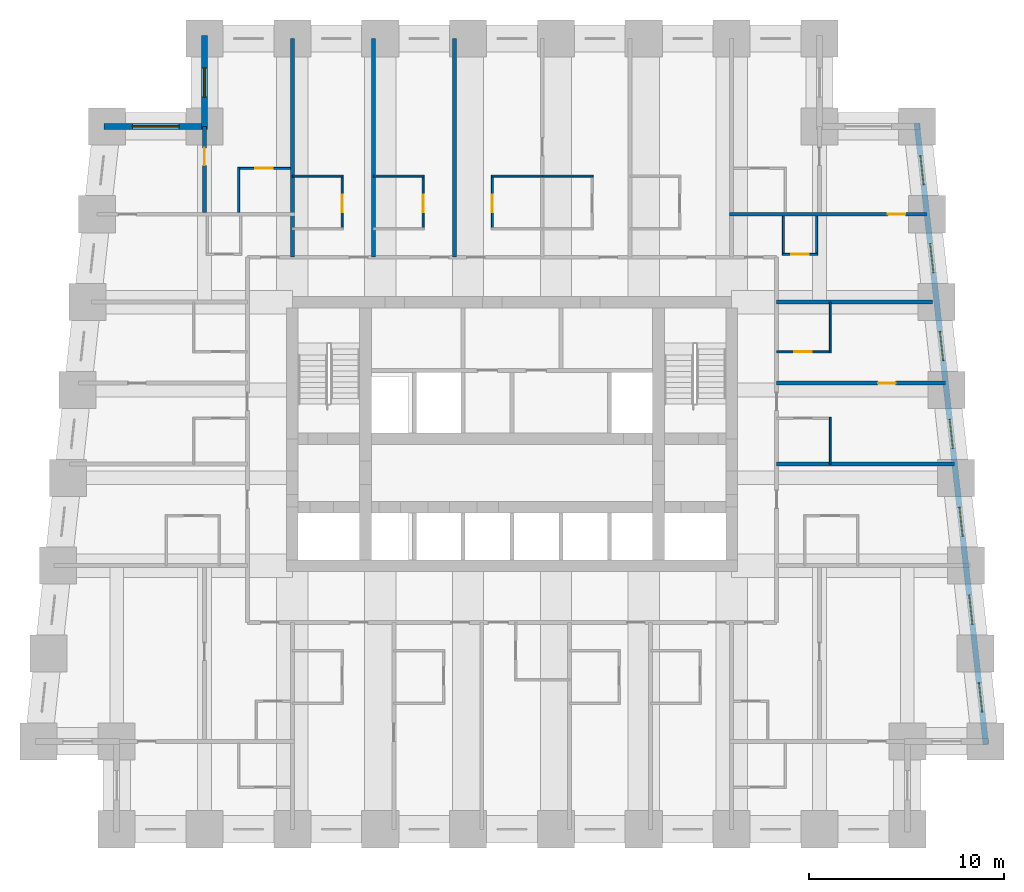
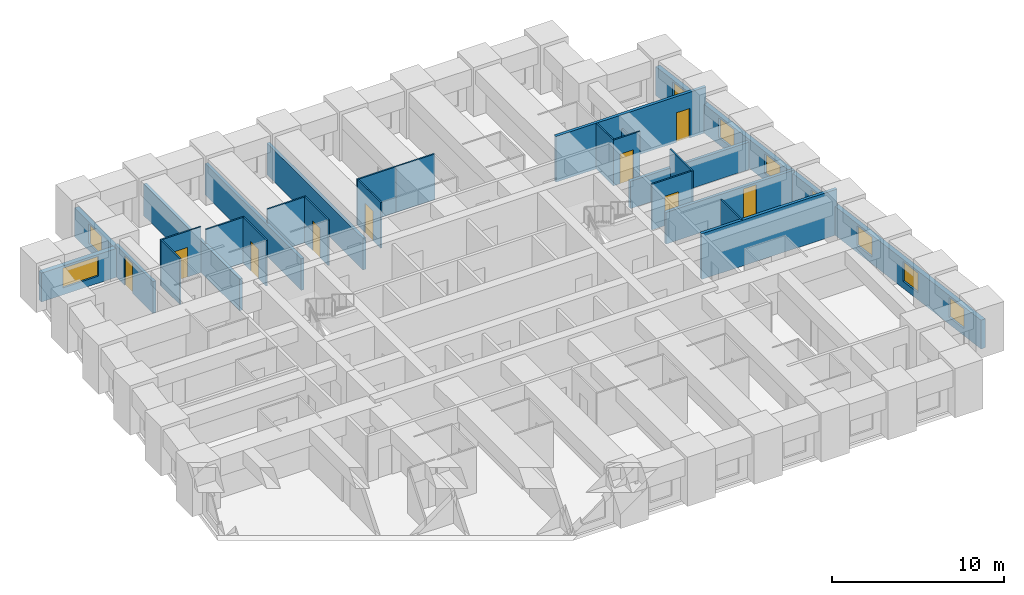
# One storey, part 6 of 8: 26 walls, 9 doors, 9 windows, 18 openings.
"""IFC4 building model written with IfcOpenShell, lengths in metres."""

import ifcopenshell
import ifcopenshell.guid

model = None  # the IFC model being written
_history = None  # IfcOwnerHistory: only IFC2X3 demands one
_inside = {}  # id of a spatial element -> (the spatial element, [elements in it])
_under = {}  # id of a project, library or spatial element -> (it, [spatial elements below it])
_declared = {}  # id of a project -> (the project, [libraries it declares])
_typed = {}  # id of a type object -> (the type object, [elements of that type])
_made_of = {}  # id of a material, layer set ... -> (it, [elements and type objects made of it])


def new_model(schema):
    """Start an empty IFC model of exactly this schema.

    Asked for "IFC4X3", IfcOpenShell would pick the latest addendum, in which some entities
    have other attributes; the version numbers below select the first issue.
    IFC2X3 requires an IfcOwnerHistory on every rooted entity: one is made here for all.
    """
    global model, _history
    if schema == "IFC4X3":
        model = ifcopenshell.file(schema_version=(4, 3, 0, 0))
    else:
        model = ifcopenshell.file(schema=schema)
    _inside.clear()
    _under.clear()
    _declared.clear()
    _typed.clear()
    _made_of.clear()
    _history = None
    if model.schema == "IFC2X3":
        org = make("IfcOrganization", Name="unknown")
        user = make(
            "IfcPersonAndOrganization",
            ThePerson=make("IfcPerson", FamilyName="unknown"),
            TheOrganization=org,
        )
        app = make(
            "IfcApplication",
            ApplicationDeveloper=org,
            Version="unknown",
            ApplicationFullName="unknown",
            ApplicationIdentifier="unknown",
        )
        _history = make(
            "IfcOwnerHistory",
            OwningUser=user,
            OwningApplication=app,
            ChangeAction="ADDED",
            CreationDate=0,
        )
    return model


def make(cls, **values):
    """One entity of the class cls with the attributes given. An attribute that is None is left unset."""
    return model.create_entity(
        cls, **{name: value for name, value in values.items() if value is not None}
    )


def rooted(cls, **values):
    """An entity with a GlobalId (a new one), such as an element, a storey or a relation."""
    return make(cls, GlobalId=ifcopenshell.guid.new(), OwnerHistory=_history, **values)


def si_unit(unit_type, name, prefix=None):
    """IfcSIUnit, for example si_unit("LENGTHUNIT", "METRE", prefix="MILLI")."""
    return make("IfcSIUnit", UnitType=unit_type, Prefix=prefix, Name=name)


def assignment(units):
    """IfcUnitAssignment: the units of a project."""
    return None if units is None else make("IfcUnitAssignment", Units=units)


def point(xyz):
    """IfcCartesianPoint."""
    return None if xyz is None else make("IfcCartesianPoint", Coordinates=xyz)


def direction(xyz):
    """IfcDirection."""
    return None if xyz is None else make("IfcDirection", DirectionRatios=xyz)


def frame(location, z_axis=None, x_axis=None):
    """IfcAxis2Placement3D, a coordinate frame: its origin and axes. An axis left out is left unset."""
    return make(
        "IfcAxis2Placement3D",
        Location=point(location),
        Axis=direction(z_axis),
        RefDirection=direction(x_axis),
    )


def frame_2d(location, x_axis=None):
    """IfcAxis2Placement2D, a coordinate frame in the plane: its origin and x axis."""
    return make(
        "IfcAxis2Placement2D", Location=point(location), RefDirection=direction(x_axis)
    )


def origin():
    """The frame at (0, 0, 0) with its axes left unset."""
    return frame((0.0, 0.0, 0.0))


def place(relative_to, where):
    """IfcLocalPlacement: puts the frame where relative to a parent placement (None: the world)."""
    return make(
        "IfcLocalPlacement", PlacementRelTo=relative_to, RelativePlacement=where
    )


def context(
    kind, dimensions, precision=None, world=None, true_north=None, identifier=None
):
    """IfcGeometricRepresentationContext, for example the 3D "Model" context."""
    return make(
        "IfcGeometricRepresentationContext",
        ContextIdentifier=identifier,
        ContextType=kind,
        CoordinateSpaceDimension=dimensions,
        Precision=precision,
        WorldCoordinateSystem=world,
        TrueNorth=true_north,
    )


def subcontext(parent, identifier, kind, view, scale=None):
    """IfcGeometricRepresentationSubContext, for example "Body" below "Model"."""
    return make(
        "IfcGeometricRepresentationSubContext",
        ContextIdentifier=identifier,
        ContextType=kind,
        ParentContext=parent,
        TargetScale=scale,
        TargetView=view,
    )


def project(units=None, contexts=None):
    """IfcProject with its units and contexts."""
    return rooted(
        "IfcProject",
        Name="project",
        RepresentationContexts=contexts,
        UnitsInContext=assignment(units),
    )


def spatial(cls, under=None, at=None, **own):
    """A site, building, storey or space (cls), placed at a placement, below another one or the project."""
    s = rooted(cls, ObjectPlacement=at, **own)
    if under is not None:
        _under.setdefault(under.id(), (under, []))[1].append(s)
    return s


def profile(cls, at=None, kind="AREA", **sizes):
    """A parametric profile (cls). Its sizes go by their IFC names, for example OverallWidth=200.0."""
    return make(cls, ProfileType=kind, Position=at, **sizes)


def rectangle(**sizes):
    """IfcRectangleProfileDef."""
    return profile("IfcRectangleProfileDef", **sizes)


def extrude(swept, where, along, depth):
    """IfcExtrudedAreaSolid: the profile swept, set in the frame where, extruded along a direction by depth."""
    return make(
        "IfcExtrudedAreaSolid",
        SweptArea=swept,
        Position=where,
        ExtrudedDirection=direction(along),
        Depth=depth,
    )


def shape(context_of_items, identifier, shape_type, items):
    """IfcShapeRepresentation: the items that make up one representation, for example the "Body"."""
    return make(
        "IfcShapeRepresentation",
        ContextOfItems=context_of_items,
        RepresentationIdentifier=identifier,
        RepresentationType=shape_type,
        Items=items,
    )


def material(Name=None, Category=None):
    """IfcMaterial."""
    return make("IfcMaterial", Name=Name, Category=Category)


def layer(
    of_material, thickness, ventilated=None, Name=None, Category=None, Priority=None
):
    """IfcMaterialLayer: one layer of a wall or slab, of a material (None: an air gap)."""
    return make(
        "IfcMaterialLayer",
        Material=of_material,
        LayerThickness=thickness,
        IsVentilated=ventilated,
        Name=Name,
        Category=Category,
        Priority=Priority,
    )


def layer_set(layers, Name=None):
    """IfcMaterialLayerSet."""
    return make("IfcMaterialLayerSet", MaterialLayers=layers, LayerSetName=Name)


def made_of(thing, what):
    """Note that an element or type object is made of a material, layer set ...; save() writes the relation."""
    if what is not None:
        _made_of.setdefault(what.id(), (what, []))[1].append(thing)
    return thing


def type_object(cls, material=None, **own):
    """A type object (cls), such as IfcWallType, which elements share."""
    return made_of(rooted(cls, **own), material)


def element(
    cls,
    number,
    at=None,
    inside=None,
    cuts=None,
    type_object=None,
    material=None,
    context=None,
    identifier="Body",
    shape_type=None,
    held_by="IfcProductDefinitionShape",
    body=None,
    shapes=None,
    **own,
):
    """One element of the class cls, such as IfcWall. Its Tag is "e" and its number.

    at: its placement. inside: the storey or other place that contains it. cuts: it is an
    opening in that element (IfcRelVoidsElement). A single representation is given by context,
    identifier, shape_type and body (its items); several are given by shapes. held_by: the class
    of the entity that holds the representations. save() writes the other relations.
    """
    e = rooted(cls, Tag="e%d" % number, ObjectPlacement=at, **own)
    if body is not None:
        shapes = [shape(context, identifier, shape_type, body)]
    if shapes is not None:
        e.Representation = make(held_by, Representations=shapes)
    if inside is not None:
        _inside.setdefault(inside.id(), (inside, []))[1].append(e)
    if cuts is not None:
        rooted(
            "IfcRelVoidsElement", RelatingBuildingElement=cuts, RelatedOpeningElement=e
        )
    if type_object is not None:
        _typed.setdefault(type_object.id(), (type_object, []))[1].append(e)
    return made_of(e, material)


def fill(opening, filler):
    """IfcRelFillsElement: the door or window that sits in an opening."""
    return rooted(
        "IfcRelFillsElement",
        RelatingOpeningElement=opening,
        RelatedBuildingElement=filler,
    )


def aggregate(whole, parts):
    """IfcRelAggregates: a whole, such as a stair, and the parts it consists of."""
    return rooted("IfcRelAggregates", RelatingObject=whole, RelatedObjects=parts)


def save(model, path):
    """Write the relations noted so far, then the file.

    IfcRelAggregates (storeys below a building ...), IfcRelContainedInSpatialStructure (elements
    in a storey), IfcRelDefinesByType, IfcRelAssociatesMaterial and IfcRelDeclares: one each for
    every whole, place, type object, material and project.
    """
    for whole, parts in _under.values():
        aggregate(whole, parts)
    for where, things in _inside.values():
        rooted(
            "IfcRelContainedInSpatialStructure",
            RelatedElements=things,
            RelatingStructure=where,
        )
    for kind, things in _typed.values():
        rooted("IfcRelDefinesByType", RelatedObjects=things, RelatingType=kind)
    for what, things in _made_of.values():
        rooted("IfcRelAssociatesMaterial", RelatedObjects=things, RelatingMaterial=what)
    for by, libraries in _declared.values():
        rooted("IfcRelDeclares", RelatingContext=by, RelatedDefinitions=libraries)
    model.write(path)


model = new_model("IFC4")

# Units and contexts
model_context = context("Model", 3, precision=1e-05, world=origin(), true_north=direction((0.0, 1.0)))
body_context = subcontext(model_context, "Body", "Model", "MODEL_VIEW")
ifc_project = project(units=[si_unit("LENGTHUNIT", "METRE"), si_unit("AREAUNIT", "SQUARE_METRE"), si_unit("VOLUMEUNIT", "CUBIC_METRE"), si_unit("PLANEANGLEUNIT", "RADIAN"), si_unit("MASSUNIT", "GRAM", prefix="KILO")], contexts=[model_context])

# Site, building, storey
site_placement = place(None, origin())
site = spatial("IfcSite", under=ifc_project, at=site_placement, CompositionType="ELEMENT")
building_placement = place(site_placement, origin())
building = spatial("IfcBuilding", under=site, at=building_placement, Name="Kilele Tower Hotel", CompositionType="ELEMENT")
storey_placement = place(building_placement, frame((0.0, 0.0, 47.199951171875)))
storey = spatial("IfcBuildingStorey", under=building, at=storey_placement, Name="L10", CompositionType="ELEMENT", Elevation=47.199951171875)

# Walls
ifc_material_1 = material(Name="Moisture-resistant board")
ifc_layer_1 = layer(ifc_material_1, 0.10009765625)
ifc_layer_set_1 = layer_set([ifc_layer_1], Name="Moisture-resistant board")
wall_type_1 = type_object("IfcWallType", Name="Bathroom partition 100", PredefinedType="PLUMBINGWALL", material=ifc_layer_set_1)
wall_1_placement = place(storey_placement, frame((41.050048828125, 18.699951171875, 0.0), z_axis=(0.0, 0.0, 1.0), x_axis=(0.0, 1.0, 0.0)))
element("IfcWall", 1, at=wall_1_placement, inside=storey, type_object=wall_type_1, Name="Bathroom partition 100 L10", PredefinedType="PLUMBINGWALL", context=body_context, shape_type="SweptSolid", body=[
    extrude(rectangle(XDim=2.400146484375, YDim=0.10009765625, at=frame_2d((1.2001953125, 0.0))), origin(), (0.0, 0.0, 1.0), 3.25),
])
wall_2_placement = place(storey_placement, frame((41.050048828125, 24.39990234375, 0.0), z_axis=(0.0, 0.0, 1.0), x_axis=(0.0, 1.0, 0.0)))
element("IfcWall", 2, at=wall_2_placement, inside=storey, type_object=wall_type_1, Name="Bathroom partition 100 L10", PredefinedType="PLUMBINGWALL", context=body_context, shape_type="SweptSolid", body=[
    extrude(rectangle(XDim=2.60009765625, YDim=0.10009765625, at=frame_2d((1.300048828125, 0.0))), origin(), (0.0, 0.0, 1.0), 3.25),
])

# Wall, opening, door
wall_3_placement = place(storey_placement, frame((38.300048828125, 24.449951171875, 0.0), z_axis=(0.0, 0.0, 1.0), x_axis=(1.0, 0.0, 0.0)))
wall_3 = element("IfcWall", 3, at=wall_3_placement, inside=storey, type_object=wall_type_1, Name="Bathroom partition 100 L10", PredefinedType="PLUMBINGWALL", context=body_context, shape_type="SweptSolid", body=[
    extrude(rectangle(XDim=2.800048828125, YDim=0.10009765625, at=frame_2d((1.39990234375, 0.0))), origin(), (0.0, 0.0, 1.0), 3.25),
])
opening_1_placement = place(wall_3_placement, frame((1.7998046875, 0.0, 0.0), z_axis=(0.0, 0.0, 1.0), x_axis=(-1.0, 0.0, 0.0)))
opening_1 = element("IfcOpeningElement", 4, at=opening_1_placement, cuts=wall_3, Name="Opening D2A", PredefinedType="OPENING", context=body_context, shape_type="SweptSolid", body=[
    extrude(rectangle(XDim=0.89990234375, YDim=2.10009765625, at=frame_2d((0.449951171875, 1.050048828125))), frame((0.0, 0.06005859375, 0.0), z_axis=(0.0, -1.0, 0.0), x_axis=(1.0, 0.0, 0.0)), (0.0, 0.0, 1.0), 0.1201171875),
])
ifc_material_2 = material(Name="Timber door leaf in hardwood frame", Category="wood")
door_type_1 = type_object("IfcDoorType", Name="Bathroom door 900", OperationType="SINGLE_SWING_LEFT", PredefinedType="DOOR", material=ifc_material_2)
door_1_placement = place(opening_1_placement, origin())
door_1 = element("IfcDoor", 5, at=door_1_placement, inside=storey, type_object=door_type_1, Name="Bathroom door 1008B", OperationType="SINGLE_SWING_RIGHT", OverallHeight=2.10009765625, OverallWidth=0.89990234375, PredefinedType="DOOR", context=body_context, shape_type="SweptSolid", body=[
    extrude(rectangle(XDim=0.89990234375, YDim=2.10009765625, at=frame_2d((0.449951171875, 1.050048828125))), frame((0.0, 0.02490234375, 0.0), z_axis=(0.0, -1.0, 0.0), x_axis=(1.0, 0.0, 0.0)), (0.0, 0.0, 1.0), 0.050048828125),
])
fill(opening_1, door_1)

# Wall
wall_4_placement = place(storey_placement, frame((13.5, 33.449951171875, 0.0), z_axis=(0.0, 0.0, 1.0), x_axis=(1.0, 0.0, 0.0)))
element("IfcWall", 6, at=wall_4_placement, inside=storey, type_object=wall_type_1, Name="Bathroom partition 100 L10", PredefinedType="PLUMBINGWALL", context=body_context, shape_type="SweptSolid", body=[
    extrude(rectangle(XDim=2.60009765625, YDim=0.10009765625, at=frame_2d((1.300048828125, 0.0))), origin(), (0.0, 0.0, 1.0), 3.25),
])

# Wall, opening, door
wall_5_placement = place(storey_placement, frame((16.050048828125, 30.699951171875, 0.0), z_axis=(0.0, 0.0, 1.0), x_axis=(0.0, 1.0, 0.0)))
wall_5 = element("IfcWall", 7, at=wall_5_placement, inside=storey, type_object=wall_type_1, Name="Bathroom partition 100 L10", PredefinedType="PLUMBINGWALL", context=body_context, shape_type="SweptSolid", body=[
    extrude(rectangle(XDim=2.800048828125, YDim=0.10009765625, at=frame_2d((1.39990234375, 0.0))), origin(), (0.0, 0.0, 1.0), 3.25),
])
opening_2_placement = place(wall_5_placement, frame((1.7998046875, 0.0, 0.0), z_axis=(0.0, 0.0, 1.0), x_axis=(-1.0, 0.0, 0.0)))
opening_2 = element("IfcOpeningElement", 8, at=opening_2_placement, cuts=wall_5, Name="Opening D2A", PredefinedType="OPENING", context=body_context, shape_type="SweptSolid", body=[
    extrude(rectangle(XDim=0.89990234375, YDim=2.10009765625, at=frame_2d((0.449951171875, 1.050048828125))), frame((0.0, 0.06005859375, 0.0), z_axis=(0.0, -1.0, 0.0), x_axis=(1.0, 0.0, 0.0)), (0.0, 0.0, 1.0), 0.1201171875),
])
door_2_placement = place(opening_2_placement, origin())
door_2 = element("IfcDoor", 9, at=door_2_placement, inside=storey, type_object=door_type_1, Name="Bathroom door 1009B", OperationType="SINGLE_SWING_RIGHT", OverallHeight=2.10009765625, OverallWidth=0.89990234375, PredefinedType="DOOR", context=body_context, shape_type="SweptSolid", body=[
    extrude(rectangle(XDim=0.89990234375, YDim=2.10009765625, at=frame_2d((0.449951171875, 1.050048828125))), frame((0.0, 0.02490234375, 0.0), z_axis=(0.0, -1.0, 0.0), x_axis=(1.0, 0.0, 0.0)), (0.0, 0.0, 1.0), 0.050048828125),
])
fill(opening_2, door_2)

# Wall
wall_6_placement = place(storey_placement, frame((17.64990234375, 33.449951171875, 0.0), z_axis=(0.0, 0.0, 1.0), x_axis=(1.0, 0.0, 0.0)))
element("IfcWall", 10, at=wall_6_placement, inside=storey, type_object=wall_type_1, Name="Bathroom partition 100 L10", PredefinedType="PLUMBINGWALL", context=body_context, shape_type="SweptSolid", body=[
    extrude(rectangle(XDim=2.60009765625, YDim=0.10009765625, at=frame_2d((1.300048828125, 0.0))), origin(), (0.0, 0.0, 1.0), 3.25),
])

# Wall, opening, door
wall_7_placement = place(storey_placement, frame((20.199951171875, 30.699951171875, 0.0), z_axis=(0.0, 0.0, 1.0), x_axis=(0.0, 1.0, 0.0)))
wall_7 = element("IfcWall", 11, at=wall_7_placement, inside=storey, type_object=wall_type_1, Name="Bathroom partition 100 L10", PredefinedType="PLUMBINGWALL", context=body_context, shape_type="SweptSolid", body=[
    extrude(rectangle(XDim=2.800048828125, YDim=0.10009765625, at=frame_2d((1.39990234375, 0.0))), origin(), (0.0, 0.0, 1.0), 3.25),
])
opening_3_placement = place(wall_7_placement, frame((1.7998046875, 0.0, 0.0), z_axis=(0.0, 0.0, 1.0), x_axis=(-1.0, 0.0, 0.0)))
opening_3 = element("IfcOpeningElement", 12, at=opening_3_placement, cuts=wall_7, Name="Opening D2A", PredefinedType="OPENING", context=body_context, shape_type="SweptSolid", body=[
    extrude(rectangle(XDim=0.89990234375, YDim=2.10009765625, at=frame_2d((0.449951171875, 1.050048828125))), frame((0.0, 0.06005859375, 0.0), z_axis=(0.0, -1.0, 0.0), x_axis=(1.0, 0.0, 0.0)), (0.0, 0.0, 1.0), 0.1201171875),
])
door_3_placement = place(opening_3_placement, origin())
door_3 = element("IfcDoor", 13, at=door_3_placement, inside=storey, type_object=door_type_1, Name="Bathroom door 1010B", OperationType="SINGLE_SWING_RIGHT", OverallHeight=2.10009765625, OverallWidth=0.89990234375, PredefinedType="DOOR", context=body_context, shape_type="SweptSolid", body=[
    extrude(rectangle(XDim=0.89990234375, YDim=2.10009765625, at=frame_2d((0.449951171875, 1.050048828125))), frame((0.0, 0.02490234375, 0.0), z_axis=(0.0, -1.0, 0.0), x_axis=(1.0, 0.0, 0.0)), (0.0, 0.0, 1.0), 0.050048828125),
])
fill(opening_3, door_3)

# Wall
wall_8_placement = place(storey_placement, frame((23.699951171875, 33.449951171875, 0.0), z_axis=(0.0, 0.0, 1.0), x_axis=(1.0, 0.0, 0.0)))
element("IfcWall", 14, at=wall_8_placement, inside=storey, type_object=wall_type_1, Name="Bathroom partition 100 L10", PredefinedType="PLUMBINGWALL", context=body_context, shape_type="SweptSolid", body=[
    extrude(rectangle(XDim=2.60009765625, YDim=0.10009765625, at=frame_2d((1.300048828125, 0.0))), origin(), (0.0, 0.0, 1.0), 3.25),
])

# Wall, opening, door
wall_9_placement = place(storey_placement, frame((23.75, 30.699951171875, 0.0), z_axis=(0.0, 0.0, 1.0), x_axis=(0.0, 1.0, 0.0)))
wall_9 = element("IfcWall", 15, at=wall_9_placement, inside=storey, type_object=wall_type_1, Name="Bathroom partition 100 L10", PredefinedType="PLUMBINGWALL", context=body_context, shape_type="SweptSolid", body=[
    extrude(rectangle(XDim=2.800048828125, YDim=0.10009765625, at=frame_2d((1.39990234375, 0.0))), origin(), (0.0, 0.0, 1.0), 3.25),
])
opening_4_placement = place(wall_9_placement, frame((0.89990234375, 0.0, 0.0)))
opening_4 = element("IfcOpeningElement", 16, at=opening_4_placement, cuts=wall_9, Name="Opening D2A", PredefinedType="OPENING", context=body_context, shape_type="SweptSolid", body=[
    extrude(rectangle(XDim=0.89990234375, YDim=2.10009765625, at=frame_2d((0.449951171875, 1.050048828125))), frame((0.0, 0.06005859375, 0.0), z_axis=(0.0, -1.0, 0.0), x_axis=(1.0, 0.0, 0.0)), (0.0, 0.0, 1.0), 0.1201171875),
])
door_4_placement = place(opening_4_placement, origin())
door_4 = element("IfcDoor", 17, at=door_4_placement, inside=storey, type_object=door_type_1, Name="Bathroom door 1011B", OperationType="SINGLE_SWING_LEFT", OverallHeight=2.10009765625, OverallWidth=0.89990234375, PredefinedType="DOOR", context=body_context, shape_type="SweptSolid", body=[
    extrude(rectangle(XDim=0.89990234375, YDim=2.10009765625, at=frame_2d((0.449951171875, 1.050048828125))), frame((0.0, 0.02490234375, 0.0), z_axis=(0.0, -1.0, 0.0), x_axis=(1.0, 0.0, 0.0)), (0.0, 0.0, 1.0), 0.050048828125),
])
fill(opening_4, door_4)

# Walls
wall_10_placement = place(storey_placement, frame((26.300048828125, 33.449951171875, 0.0), z_axis=(0.0, 0.0, 1.0), x_axis=(1.0, 0.0, 0.0)))
element("IfcWall", 18, at=wall_10_placement, inside=storey, type_object=wall_type_1, Name="Bathroom partition 100 L10", PredefinedType="PLUMBINGWALL", context=body_context, shape_type="SweptSolid", body=[
    extrude(rectangle(XDim=2.599853515625, YDim=0.10009765625, at=frame_2d((1.2998046875, 0.0))), origin(), (0.0, 0.0, 1.0), 3.25),
])
wall_11_placement = place(storey_placement, frame((40.35009765625, 31.39990234375, 0.0), z_axis=(0.0, 0.0, 1.0), x_axis=(0.0, -1.0, 0.0)))
element("IfcWall", 19, at=wall_11_placement, inside=storey, type_object=wall_type_1, Name="Bathroom partition 100 L10", PredefinedType="PLUMBINGWALL", context=body_context, shape_type="SweptSolid", body=[
    extrude(rectangle(XDim=2.0, YDim=0.10009765625, at=frame_2d((1.0, 0.0))), origin(), (0.0, 0.0, 1.0), 2.25),
])
wall_12_placement = place(storey_placement, frame((38.64990234375, 31.39990234375, 0.0), z_axis=(0.0, 0.0, 1.0), x_axis=(0.0, -1.0, 0.0)))
element("IfcWall", 20, at=wall_12_placement, inside=storey, type_object=wall_type_1, Name="Bathroom partition 100 L10", PredefinedType="PLUMBINGWALL", context=body_context, shape_type="SweptSolid", body=[
    extrude(rectangle(XDim=2.0, YDim=0.10009765625, at=frame_2d((1.0, 0.0))), origin(), (0.0, 0.0, 1.0), 3.25),
])

# Wall, opening, door
wall_13_placement = place(storey_placement, frame((38.60009765625, 29.449951171875, 0.0), z_axis=(0.0, 0.0, 1.0), x_axis=(1.0, 0.0, 0.0)))
wall_13 = element("IfcWall", 21, at=wall_13_placement, inside=storey, type_object=wall_type_1, Name="Bathroom partition 100 L10", PredefinedType="PLUMBINGWALL", context=body_context, shape_type="SweptSolid", body=[
    extrude(rectangle(XDim=1.7998046875, YDim=0.10009765625, at=frame_2d((0.89990234375, 0.0))), origin(), (0.0, 0.0, 1.0), 3.25),
])
opening_5_placement = place(wall_13_placement, frame((1.349853515625, 0.0, 0.0), z_axis=(0.0, 0.0, 1.0), x_axis=(-1.0, 0.0, 0.0)))
opening_5 = element("IfcOpeningElement", 22, at=opening_5_placement, cuts=wall_13, Name="Opening D2A", PredefinedType="OPENING", context=body_context, shape_type="SweptSolid", body=[
    extrude(rectangle(XDim=0.89990234375, YDim=2.10009765625, at=frame_2d((0.449951171875, 1.050048828125))), frame((0.0, 0.06005859375, 0.0), z_axis=(0.0, -1.0, 0.0), x_axis=(1.0, 0.0, 0.0)), (0.0, 0.0, 1.0), 0.1201171875),
])
door_5_placement = place(opening_5_placement, origin())
door_5 = element("IfcDoor", 23, at=door_5_placement, inside=storey, type_object=door_type_1, Name="Bathroom door 1023P", OperationType="SINGLE_SWING_RIGHT", OverallHeight=2.10009765625, OverallWidth=0.89990234375, PredefinedType="DOOR", context=body_context, shape_type="SweptSolid", body=[
    extrude(rectangle(XDim=0.89990234375, YDim=2.10009765625, at=frame_2d((0.449951171875, 1.050048828125))), frame((0.0, 0.02490234375, 0.0), z_axis=(0.0, -1.0, 0.0), x_axis=(1.0, 0.0, 0.0)), (0.0, 0.0, 1.0), 0.050048828125),
])
fill(opening_5, door_5)

# Wall
wall_14_placement = place(storey_placement, frame((10.75, 31.60009765625, 0.0), z_axis=(0.0, 0.0, 1.0), x_axis=(0.0, 1.0, 0.0)))
element("IfcWall", 24, at=wall_14_placement, inside=storey, type_object=wall_type_1, Name="Bathroom partition 100 L10", PredefinedType="PLUMBINGWALL", context=body_context, shape_type="SweptSolid", body=[
    extrude(rectangle(XDim=2.2998046875, YDim=0.10009765625, at=frame_2d((1.14990234375, 0.0))), origin(), (0.0, 0.0, 1.0), 3.25),
])

# Wall, opening, door
wall_15_placement = place(storey_placement, frame((13.39990234375, 33.85009765625, 0.0), z_axis=(0.0, 0.0, 1.0), x_axis=(-1.0, 0.0, 0.0)))
wall_15 = element("IfcWall", 25, at=wall_15_placement, inside=storey, type_object=wall_type_1, Name="Bathroom partition 100 L10", PredefinedType="PLUMBINGWALL", context=body_context, shape_type="SweptSolid", body=[
    extrude(rectangle(XDim=2.699951171875, YDim=0.10009765625, at=frame_2d((1.35009765625, 0.0))), origin(), (0.0, 0.0, 1.0), 3.25),
])
opening_6_placement = place(wall_15_placement, frame((1.7998046875, 0.0, 0.0), z_axis=(0.0, 0.0, 1.0), x_axis=(-1.0, 0.0, 0.0)))
opening_6 = element("IfcOpeningElement", 26, at=opening_6_placement, cuts=wall_15, Name="Opening D2A", PredefinedType="OPENING", context=body_context, shape_type="SweptSolid", body=[
    extrude(rectangle(XDim=0.89990234375, YDim=2.10009765625, at=frame_2d((0.449951171875, 1.050048828125))), frame((0.0, 0.06005859375, 0.0), z_axis=(0.0, -1.0, 0.0), x_axis=(1.0, 0.0, 0.0)), (0.0, 0.0, 1.0), 0.1201171875),
])
door_6_placement = place(opening_6_placement, origin())
door_6 = element("IfcDoor", 27, at=door_6_placement, inside=storey, type_object=door_type_1, Name="Bathroom door 1027B", OperationType="SINGLE_SWING_RIGHT", OverallHeight=2.10009765625, OverallWidth=0.89990234375, PredefinedType="DOOR", context=body_context, shape_type="SweptSolid", body=[
    extrude(rectangle(XDim=0.89990234375, YDim=2.10009765625, at=frame_2d((0.449951171875, 1.050048828125))), frame((0.0, 0.02490234375, 0.0), z_axis=(0.0, -1.0, 0.0), x_axis=(1.0, 0.0, 0.0)), (0.0, 0.0, 1.0), 0.050048828125),
])
fill(opening_6, door_6)

ifc_material_3 = material(Name="Blockwork, plastered both sides", Category="masonry")
ifc_layer_2 = layer(ifc_material_3, 0.199951171875)
ifc_layer_set_2 = layer_set([ifc_layer_2], Name="Blockwork, plastered both sides")
wall_type_2 = type_object("IfcWallType", Name="Partition wall 200", PredefinedType="PARTITIONING", material=ifc_layer_set_2)
wall_16_placement = place(storey_placement, frame((9.0, 31.60009765625, 0.0), z_axis=(0.0, 0.0, 1.0), x_axis=(0.0, 1.0, 0.0)))
wall_16 = element("IfcWall", 28, at=wall_16_placement, inside=storey, type_object=wall_type_2, Name="Partition wall 200 L10", PredefinedType="PARTITIONING", context=body_context, shape_type="SweptSolid", body=[
    extrude(rectangle(XDim=4.39990234375, YDim=0.199951171875, at=frame_2d((2.199951171875, 0.0))), origin(), (0.0, 0.0, 1.0), 2.25),
])
opening_7_placement = place(wall_16_placement, frame((2.39990234375, 0.0, 0.0)))
opening_7 = element("IfcOpeningElement", 29, at=opening_7_placement, cuts=wall_16, Name="Opening D3", PredefinedType="OPENING", context=body_context, shape_type="SweptSolid", body=[
    extrude(rectangle(XDim=0.89990234375, YDim=2.10009765625, at=frame_2d((0.449951171875, 1.050048828125))), frame((0.0, 0.10986328125, 0.0), z_axis=(0.0, -1.0, 0.0), x_axis=(1.0, 0.0, 0.0)), (0.0, 0.0, 1.0), 0.219970703125),
])
ifc_material_4 = material(Name="Timber door leaf in hardwood frame", Category="wood")
door_type_2 = type_object("IfcDoorType", Name="Suite internal door 900", OperationType="SINGLE_SWING_LEFT", PredefinedType="DOOR", material=ifc_material_4)
door_7_placement = place(opening_7_placement, origin())
door_7 = element("IfcDoor", 30, at=door_7_placement, inside=storey, type_object=door_type_2, Name="Suite door 1028", OperationType="SINGLE_SWING_RIGHT", OverallHeight=2.10009765625, OverallWidth=0.89990234375, PredefinedType="DOOR", context=body_context, shape_type="SweptSolid", body=[
    extrude(rectangle(XDim=0.89990234375, YDim=2.10009765625, at=frame_2d((0.449951171875, 1.050048828125))), frame((0.0, 0.02490234375, 0.0), z_axis=(0.0, -1.0, 0.0), x_axis=(1.0, 0.0, 0.0)), (0.0, 0.0, 1.0), 0.050048828125),
])
fill(opening_7, door_7)

# Wall
ifc_material_5 = material(Name="Blockwork, plastered both sides", Category="masonry")
ifc_layer_3 = layer(ifc_material_5, 0.199951171875)
ifc_layer_set_3 = layer_set([ifc_layer_3], Name="Blockwork, plastered both sides")
wall_type_3 = type_object("IfcWallType", Name="Party wall 200", PredefinedType="PARTITIONING", material=ifc_layer_set_3)
wall_17_placement = place(storey_placement, frame((38.300048828125, 18.699951171875, 0.0), z_axis=(0.0, 0.0, 1.0), x_axis=(1.0, 0.0, 0.0)))
element("IfcWall", 31, at=wall_17_placement, inside=storey, type_object=wall_type_3, Name="Party wall 200 L10", PredefinedType="PARTITIONING", context=body_context, shape_type="SweptSolid", body=[
    extrude(rectangle(XDim=9.121337890625, YDim=0.199951171875, at=frame_2d((4.560546875, 0.0))), origin(), (0.0, 0.0, 1.0), 3.25),
])

# Wall, opening, door
wall_18_placement = place(storey_placement, frame((38.300048828125, 22.85009765625, 0.0), z_axis=(0.0, 0.0, 1.0), x_axis=(1.0, 0.0, 0.0)))
wall_18 = element("IfcWall", 32, at=wall_18_placement, inside=storey, type_object=wall_type_3, Name="Party wall 200 L10", PredefinedType="PARTITIONING", context=body_context, shape_type="SweptSolid", body=[
    extrude(rectangle(XDim=8.66015625, YDim=0.199951171875, at=frame_2d((4.330078125, 0.0))), origin(), (0.0, 0.0, 1.0), 2.25),
])
opening_8_placement = place(wall_18_placement, frame((5.199951171875, 0.0, 0.0)))
opening_8 = element("IfcOpeningElement", 33, at=opening_8_placement, cuts=wall_18, Name="Opening D3", PredefinedType="OPENING", context=body_context, shape_type="SweptSolid", body=[
    extrude(rectangle(XDim=0.89990234375, YDim=2.10009765625, at=frame_2d((0.449951171875, 1.050048828125))), frame((0.0, 0.10986328125, 0.0), z_axis=(0.0, -1.0, 0.0), x_axis=(1.0, 0.0, 0.0)), (0.0, 0.0, 1.0), 0.219970703125),
])
door_8_placement = place(opening_8_placement, origin())
door_8 = element("IfcDoor", 34, at=door_8_placement, inside=storey, type_object=door_type_2, Name="Suite door 1008", OperationType="SINGLE_SWING_RIGHT", OverallHeight=2.10009765625, OverallWidth=0.89990234375, PredefinedType="DOOR", context=body_context, shape_type="SweptSolid", body=[
    extrude(rectangle(XDim=0.89990234375, YDim=2.10009765625, at=frame_2d((0.449951171875, 1.050048828125))), frame((0.0, 0.02490234375, 0.0), z_axis=(0.0, -1.0, 0.0), x_axis=(1.0, 0.0, 0.0)), (0.0, 0.0, 1.0), 0.050048828125),
])
fill(opening_8, door_8)

# Walls
for number, where, z_axis, x_axis, name in (
    (35, (17.64990234375, 29.300048828125, 0.0), (0.0, 0.0, 1.0), (0.0, 1.0, 0.0), "Party wall 200 L10"),
    (36, (21.800048828125, 29.300048828125, 0.0), (0.0, 0.0, 1.0), (0.0, 1.0, 0.0), "Party wall 200 L10"),
):
    element("IfcWall", number, at=place(storey_placement, frame(where, z_axis=z_axis, x_axis=x_axis)), inside=storey, type_object=wall_type_3, Name=name, PredefinedType="PARTITIONING", context=body_context, shape_type="SweptSolid", body=[
        extrude(rectangle(XDim=11.199951171875, YDim=0.199951171875, at=frame_2d((5.60009765625, 0.0))), origin(), (0.0, 0.0, 1.0), 2.25),
    ])
wall_19_placement = place(storey_placement, frame((38.300048828125, 27.0, 0.0), z_axis=(0.0, 0.0, 1.0), x_axis=(1.0, 0.0, 0.0)))
element("IfcWall", 37, at=wall_19_placement, inside=storey, type_object=wall_type_3, Name="Party wall 200 L10", PredefinedType="PARTITIONING", context=body_context, shape_type="SweptSolid", body=[
    extrude(rectangle(XDim=7.976806640625, YDim=0.199951171875, at=frame_2d((3.98828125, 0.0))), origin(), (0.0, 0.0, 1.0), 1.949951171875),
])

# Wall, opening, door
wall_20_placement = place(storey_placement, frame((35.89990234375, 31.5, 0.0), z_axis=(0.0, 0.0, 1.0), x_axis=(1.0, 0.0, 0.0)))
wall_20 = element("IfcWall", 38, at=wall_20_placement, inside=storey, type_object=wall_type_3, Name="Party wall 200 L10", PredefinedType="PARTITIONING", context=body_context, shape_type="SweptSolid", body=[
    extrude(rectangle(XDim=10.09912109375, YDim=0.199951171875, at=frame_2d((5.049560546875, 0.0))), origin(), (0.0, 0.0, 1.0), 3.25),
])
opening_9_placement = place(wall_20_placement, frame((8.09912109375, 0.0, 0.0)))
opening_9 = element("IfcOpeningElement", 39, at=opening_9_placement, cuts=wall_20, Name="Opening D3", PredefinedType="OPENING", context=body_context, shape_type="SweptSolid", body=[
    extrude(rectangle(XDim=0.89990234375, YDim=2.10009765625, at=frame_2d((0.449951171875, 1.050048828125))), frame((0.0, 0.10986328125, 0.0), z_axis=(0.0, -1.0, 0.0), x_axis=(1.0, 0.0, 0.0)), (0.0, 0.0, 1.0), 0.219970703125),
])
door_9_placement = place(opening_9_placement, origin())
door_9 = element("IfcDoor", 40, at=door_9_placement, inside=storey, type_object=door_type_2, Name="Suite door 1024", OperationType="SINGLE_SWING_RIGHT", OverallHeight=2.10009765625, OverallWidth=0.89990234375, PredefinedType="DOOR", context=body_context, shape_type="SweptSolid", body=[
    extrude(rectangle(XDim=0.89990234375, YDim=2.10009765625, at=frame_2d((0.449951171875, 1.050048828125))), frame((0.0, 0.02490234375, 0.0), z_axis=(0.0, -1.0, 0.0), x_axis=(1.0, 0.0, 0.0)), (0.0, 0.0, 1.0), 0.050048828125),
])
fill(opening_9, door_9)

# Wall
wall_21_placement = place(storey_placement, frame((13.5, 29.300048828125, 0.0), z_axis=(0.0, 0.0, 1.0), x_axis=(0.0, 1.0, 0.0)))
element("IfcWall", 41, at=wall_21_placement, inside=storey, type_object=wall_type_3, Name="Party wall 200 L10", PredefinedType="PARTITIONING", context=body_context, shape_type="SweptSolid", body=[
    extrude(rectangle(XDim=11.199951171875, YDim=0.199951171875, at=frame_2d((5.60009765625, 0.0))), origin(), (0.0, 0.0, 1.0), 2.25),
])

# Wall, openings, windows
ifc_material_6 = material(Name="Concrete C40/50 precast", Category="concrete")
ifc_layer_4 = layer(ifc_material_6, 0.260009765625, Name="Precast backing", Category="LoadBearing")
ifc_material_7 = material(Name="Reconstituted stone finish", Category="masonry")
ifc_layer_5 = layer(ifc_material_7, 0.0400390625, Name="Face mix", Category="Finish")
ifc_layer_set_4 = layer_set([ifc_layer_4, ifc_layer_5], Name="Precast concrete C40/50, reconstituted stone finish")
wall_type_4 = type_object("IfcWallType", Name="Precast stone facade wall 300", PredefinedType="STANDARD", material=ifc_layer_set_4)
wall_22_placement = place(storey_placement, frame((49.0166015625, 4.350830078125, 0.0), z_axis=(0.0, 0.0, 1.0), x_axis=(-0.110433201132, 0.993883548555, 0.0)))
wall_22 = element("IfcWall", 42, at=wall_22_placement, inside=storey, type_object=wall_type_4, Name="Facade wall L10 edge 6", PredefinedType="STANDARD", context=body_context, shape_type="SweptSolid", body=[
    extrude(rectangle(XDim=31.994140625, YDim=0.300048828125, at=frame_2d((15.9970703125, 0.0))), origin(), (0.0, 0.0, 1.0), 2.050048828125),
])
opening_10_placement = place(wall_22_placement, frame((1.6640625, 0.0, 0.5)))
opening_10 = element("IfcOpeningElement", 43, at=opening_10_placement, cuts=wall_22, Name="Opening W1", PredefinedType="OPENING", context=body_context, shape_type="SweptSolid", body=[
    extrude(rectangle(XDim=1.5, YDim=1.39990234375, at=frame_2d((0.75, 0.699951171875))), frame((0.0, 0.159912109375, 0.0), z_axis=(0.0, -1.0, 0.0), x_axis=(1.0, 0.0, 0.0)), (0.0, 0.0, 1.0), 0.320068359375),
])
opening_11_placement = place(wall_22_placement, frame((6.19189453125, 0.0, 0.5)))
opening_11 = element("IfcOpeningElement", 44, at=opening_11_placement, cuts=wall_22, Name="Opening W1", PredefinedType="OPENING", context=body_context, shape_type="SweptSolid", body=[
    extrude(rectangle(XDim=1.5, YDim=1.39990234375, at=frame_2d((0.75, 0.699951171875))), frame((0.0, 0.159912109375, 0.0), z_axis=(0.0, -1.0, 0.0), x_axis=(1.0, 0.0, 0.0)), (0.0, 0.0, 1.0), 0.320068359375),
])
opening_12_placement = place(wall_22_placement, frame((10.718994140625, 0.0, 0.5)))
opening_12 = element("IfcOpeningElement", 45, at=opening_12_placement, cuts=wall_22, Name="Opening W1", PredefinedType="OPENING", context=body_context, shape_type="SweptSolid", body=[
    extrude(rectangle(XDim=1.5, YDim=1.39990234375, at=frame_2d((0.75, 0.699951171875))), frame((0.0, 0.159912109375, 0.0), z_axis=(0.0, -1.0, 0.0), x_axis=(1.0, 0.0, 0.0)), (0.0, 0.0, 1.0), 0.320068359375),
])
opening_13_placement = place(wall_22_placement, frame((15.2470703125, 0.0, 0.5)))
opening_13 = element("IfcOpeningElement", 46, at=opening_13_placement, cuts=wall_22, Name="Opening W1", PredefinedType="OPENING", context=body_context, shape_type="SweptSolid", body=[
    extrude(rectangle(XDim=1.5, YDim=1.39990234375, at=frame_2d((0.75, 0.699951171875))), frame((0.0, 0.159912109375, 0.0), z_axis=(0.0, -1.0, 0.0), x_axis=(1.0, 0.0, 0.0)), (0.0, 0.0, 1.0), 0.320068359375),
])
opening_14_placement = place(wall_22_placement, frame((19.77490234375, 0.0, 0.5)))
opening_14 = element("IfcOpeningElement", 47, at=opening_14_placement, cuts=wall_22, Name="Opening W1", PredefinedType="OPENING", context=body_context, shape_type="SweptSolid", body=[
    extrude(rectangle(XDim=1.5, YDim=1.39990234375, at=frame_2d((0.75, 0.699951171875))), frame((0.0, 0.159912109375, 0.0), z_axis=(0.0, -1.0, 0.0), x_axis=(1.0, 0.0, 0.0)), (0.0, 0.0, 1.0), 0.320068359375),
])
opening_15_placement = place(wall_22_placement, frame((24.302001953125, 0.0, 0.5)))
opening_15 = element("IfcOpeningElement", 48, at=opening_15_placement, cuts=wall_22, Name="Opening W1", PredefinedType="OPENING", context=body_context, shape_type="SweptSolid", body=[
    extrude(rectangle(XDim=1.5, YDim=1.39990234375, at=frame_2d((0.75, 0.699951171875))), frame((0.0, 0.159912109375, 0.0), z_axis=(0.0, -1.0, 0.0), x_axis=(1.0, 0.0, 0.0)), (0.0, 0.0, 1.0), 0.320068359375),
])
opening_16_placement = place(wall_22_placement, frame((28.830078125, 0.0, 0.5)))
opening_16 = element("IfcOpeningElement", 49, at=opening_16_placement, cuts=wall_22, Name="Opening W1", PredefinedType="OPENING", context=body_context, shape_type="SweptSolid", body=[
    extrude(rectangle(XDim=1.5, YDim=1.39990234375, at=frame_2d((0.75, 0.699951171875))), frame((0.0, 0.159912109375, 0.0), z_axis=(0.0, -1.0, 0.0), x_axis=(1.0, 0.0, 0.0)), (0.0, 0.0, 1.0), 0.320068359375),
])
ifc_material_8 = material(Name="Aluminium frame, clear double glazing", Category="aluminium")
window_type_1 = type_object("IfcWindowType", Name="Window W1 1500 x 1400", PartitioningType="SINGLE_PANEL", PredefinedType="WINDOW", material=ifc_material_8)
window_1_placement = place(opening_10_placement, origin())
window_1 = element("IfcWindow", 50, at=window_1_placement, inside=storey, type_object=window_type_1, Name="Window L10", OverallHeight=1.39990234375, OverallWidth=1.5, PartitioningType="SINGLE_PANEL", PredefinedType="WINDOW", context=body_context, shape_type="SweptSolid", body=[
    extrude(rectangle(XDim=1.5, YDim=1.39990234375, at=frame_2d((0.75, 0.699951171875))), frame((0.0, 0.030029296875, 0.0), z_axis=(0.0, -1.0, 0.0), x_axis=(1.0, 0.0, 0.0)), (0.0, 0.0, 1.0), 0.06005859375),
])
fill(opening_10, window_1)
window_2_placement = place(opening_11_placement, origin())
window_2 = element("IfcWindow", 51, at=window_2_placement, inside=storey, type_object=window_type_1, Name="Window L10", OverallHeight=1.39990234375, OverallWidth=1.5, PartitioningType="SINGLE_PANEL", PredefinedType="WINDOW", context=body_context, shape_type="SweptSolid", body=[
    extrude(rectangle(XDim=1.5, YDim=1.39990234375, at=frame_2d((0.75, 0.699951171875))), frame((0.0, 0.030029296875, 0.0), z_axis=(0.0, -1.0, 0.0), x_axis=(1.0, 0.0, 0.0)), (0.0, 0.0, 1.0), 0.06005859375),
])
fill(opening_11, window_2)
window_3_placement = place(opening_12_placement, origin())
window_3 = element("IfcWindow", 52, at=window_3_placement, inside=storey, type_object=window_type_1, Name="Window L10", OverallHeight=1.39990234375, OverallWidth=1.5, PartitioningType="SINGLE_PANEL", PredefinedType="WINDOW", context=body_context, shape_type="SweptSolid", body=[
    extrude(rectangle(XDim=1.5, YDim=1.39990234375, at=frame_2d((0.75, 0.699951171875))), frame((0.0, 0.030029296875, 0.0), z_axis=(0.0, -1.0, 0.0), x_axis=(1.0, 0.0, 0.0)), (0.0, 0.0, 1.0), 0.06005859375),
])
fill(opening_12, window_3)
window_4_placement = place(opening_13_placement, origin())
window_4 = element("IfcWindow", 53, at=window_4_placement, inside=storey, type_object=window_type_1, Name="Window L10", OverallHeight=1.39990234375, OverallWidth=1.5, PartitioningType="SINGLE_PANEL", PredefinedType="WINDOW", context=body_context, shape_type="SweptSolid", body=[
    extrude(rectangle(XDim=1.5, YDim=1.39990234375, at=frame_2d((0.75, 0.699951171875))), frame((0.0, 0.030029296875, 0.0), z_axis=(0.0, -1.0, 0.0), x_axis=(1.0, 0.0, 0.0)), (0.0, 0.0, 1.0), 0.06005859375),
])
fill(opening_13, window_4)
window_5_placement = place(opening_14_placement, origin())
window_5 = element("IfcWindow", 54, at=window_5_placement, inside=storey, type_object=window_type_1, Name="Window L10", OverallHeight=1.39990234375, OverallWidth=1.5, PartitioningType="SINGLE_PANEL", PredefinedType="WINDOW", context=body_context, shape_type="SweptSolid", body=[
    extrude(rectangle(XDim=1.5, YDim=1.39990234375, at=frame_2d((0.75, 0.699951171875))), frame((0.0, 0.030029296875, 0.0), z_axis=(0.0, -1.0, 0.0), x_axis=(1.0, 0.0, 0.0)), (0.0, 0.0, 1.0), 0.06005859375),
])
fill(opening_14, window_5)
window_6_placement = place(opening_15_placement, origin())
window_6 = element("IfcWindow", 55, at=window_6_placement, inside=storey, type_object=window_type_1, Name="Window L10", OverallHeight=1.39990234375, OverallWidth=1.5, PartitioningType="SINGLE_PANEL", PredefinedType="WINDOW", context=body_context, shape_type="SweptSolid", body=[
    extrude(rectangle(XDim=1.5, YDim=1.39990234375, at=frame_2d((0.75, 0.699951171875))), frame((0.0, 0.030029296875, 0.0), z_axis=(0.0, -1.0, 0.0), x_axis=(1.0, 0.0, 0.0)), (0.0, 0.0, 1.0), 0.06005859375),
])
fill(opening_15, window_6)
window_7_placement = place(opening_16_placement, origin())
window_7 = element("IfcWindow", 56, at=window_7_placement, inside=storey, type_object=window_type_1, Name="Window L10", OverallHeight=1.39990234375, OverallWidth=1.5, PartitioningType="SINGLE_PANEL", PredefinedType="WINDOW", context=body_context, shape_type="SweptSolid", body=[
    extrude(rectangle(XDim=1.5, YDim=1.39990234375, at=frame_2d((0.75, 0.699951171875))), frame((0.0, 0.030029296875, 0.0), z_axis=(0.0, -1.0, 0.0), x_axis=(1.0, 0.0, 0.0)), (0.0, 0.0, 1.0), 0.06005859375),
])
fill(opening_16, window_7)

# Wall, opening, window
wall_23_placement = place(storey_placement, frame((9.0, 40.64990234375, 0.0), z_axis=(0.0, 0.0, 1.0), x_axis=(0.0, -1.0, 0.0)))
wall_23 = element("IfcWall", 57, at=wall_23_placement, inside=storey, type_object=wall_type_4, Name="Facade wall L10 edge 10", PredefinedType="STANDARD", context=body_context, shape_type="SweptSolid", body=[
    extrude(rectangle(XDim=4.7998046875, YDim=0.300048828125, at=frame_2d((2.39990234375, 0.0))), origin(), (0.0, 0.0, 1.0), 2.050048828125),
])
opening_17_placement = place(wall_23_placement, frame((1.64990234375, 0.0, 0.5)))
opening_17 = element("IfcOpeningElement", 58, at=opening_17_placement, cuts=wall_23, Name="Opening W1", PredefinedType="OPENING", context=body_context, shape_type="SweptSolid", body=[
    extrude(rectangle(XDim=1.5, YDim=1.39990234375, at=frame_2d((0.75, 0.699951171875))), frame((0.0, 0.159912109375, 0.0), z_axis=(0.0, -1.0, 0.0), x_axis=(1.0, 0.0, 0.0)), (0.0, 0.0, 1.0), 0.320068359375),
])
window_8_placement = place(opening_17_placement, origin())
window_8 = element("IfcWindow", 59, at=window_8_placement, inside=storey, type_object=window_type_1, Name="Window L10", OverallHeight=1.39990234375, OverallWidth=1.5, PartitioningType="SINGLE_PANEL", PredefinedType="WINDOW", context=body_context, shape_type="SweptSolid", body=[
    extrude(rectangle(XDim=1.5, YDim=1.39990234375, at=frame_2d((0.75, 0.699951171875))), frame((0.0, 0.030029296875, 0.0), z_axis=(0.0, -1.0, 0.0), x_axis=(1.0, 0.0, 0.0)), (0.0, 0.0, 1.0), 0.06005859375),
])
fill(opening_17, window_8)

wall_24_placement = place(storey_placement, frame((9.14990234375, 36.0, 0.0), z_axis=(0.0, 0.0, 1.0), x_axis=(-1.0, 0.0, 0.0)))
wall_24 = element("IfcWall", 60, at=wall_24_placement, inside=storey, type_object=wall_type_4, Name="Facade wall L10 edge 11", PredefinedType="STANDARD", context=body_context, shape_type="SweptSolid", body=[
    extrude(rectangle(XDim=5.2998046875, YDim=0.300048828125, at=frame_2d((2.64990234375, 0.0))), origin(), (0.0, 0.0, 1.0), 2.050048828125),
])
opening_18_placement = place(wall_24_placement, frame((1.449951171875, 0.0, 0.5)))
opening_18 = element("IfcOpeningElement", 61, at=opening_18_placement, cuts=wall_24, Name="Opening W1", PredefinedType="OPENING", context=body_context, shape_type="SweptSolid", body=[
    extrude(rectangle(XDim=2.39990234375, YDim=1.39990234375, at=frame_2d((1.199951171875, 0.699951171875))), frame((0.0, 0.159912109375, 0.0), z_axis=(0.0, -1.0, 0.0), x_axis=(1.0, 0.0, 0.0)), (0.0, 0.0, 1.0), 0.320068359375),
])
ifc_material_9 = material(Name="Aluminium frame, clear double glazing", Category="aluminium")
window_type_2 = type_object("IfcWindowType", Name="Window W1 2400 x 1400", PartitioningType="SINGLE_PANEL", PredefinedType="WINDOW", material=ifc_material_9)
window_9_placement = place(opening_18_placement, origin())
window_9 = element("IfcWindow", 62, at=window_9_placement, inside=storey, type_object=window_type_2, Name="Window L10", OverallHeight=1.39990234375, OverallWidth=2.39990234375, PartitioningType="SINGLE_PANEL", PredefinedType="WINDOW", context=body_context, shape_type="SweptSolid", body=[
    extrude(rectangle(XDim=2.39990234375, YDim=1.39990234375, at=frame_2d((1.199951171875, 0.699951171875))), frame((0.0, 0.030029296875, 0.0), z_axis=(0.0, -1.0, 0.0), x_axis=(1.0, 0.0, 0.0)), (0.0, 0.0, 1.0), 0.06005859375),
])
fill(opening_18, window_9)

save(model, "model.ifc")
